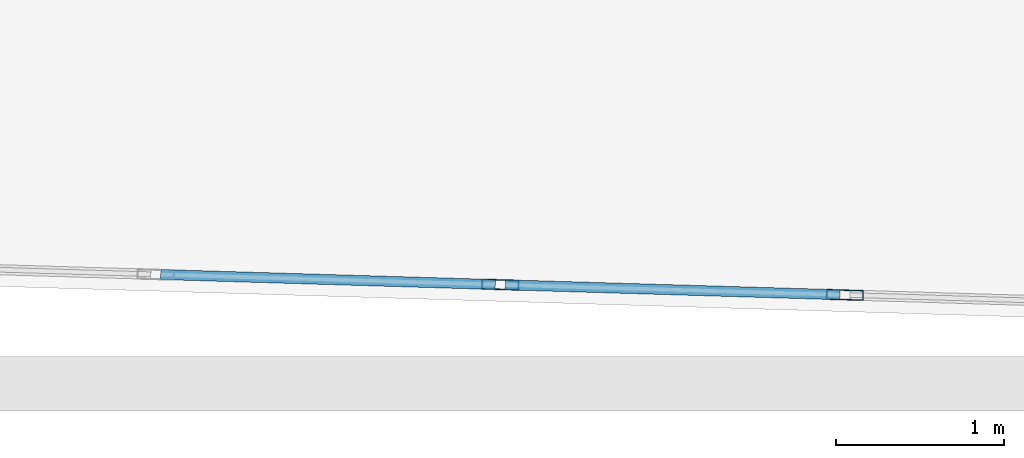
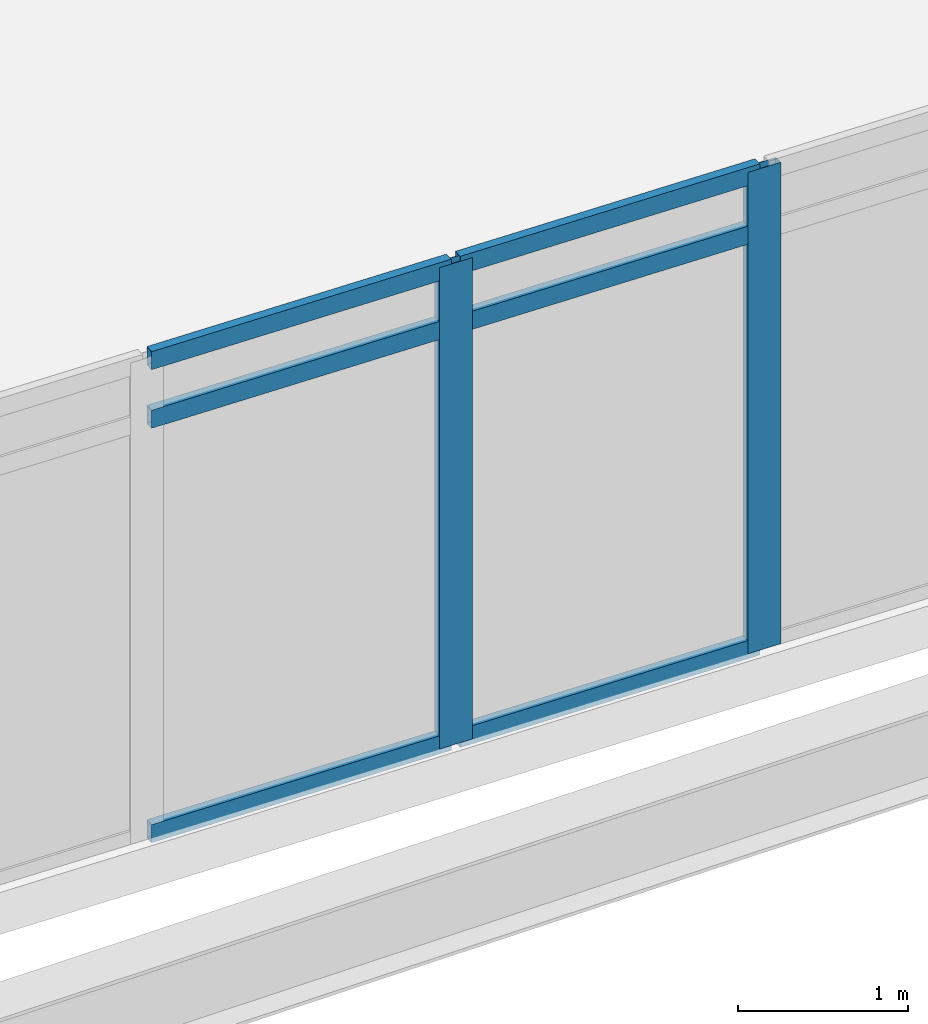
# One storey, part 3 of 36: 8 members, 1 element without a shape of its own.
"""IFC4 building model written with IfcOpenShell, lengths in metres."""

import ifcopenshell
import ifcopenshell.guid

model = None  # the IFC model being written
_history = None  # IfcOwnerHistory: only IFC2X3 demands one
_inside = {}  # id of a spatial element -> (the spatial element, [elements in it])
_under = {}  # id of a project, library or spatial element -> (it, [spatial elements below it])
_declared = {}  # id of a project -> (the project, [libraries it declares])
_typed = {}  # id of a type object -> (the type object, [elements of that type])
_made_of = {}  # id of a material, layer set ... -> (it, [elements and type objects made of it])


def new_model(schema):
    """Start an empty IFC model of exactly this schema.

    Asked for "IFC4X3", IfcOpenShell would pick the latest addendum, in which some entities
    have other attributes; the version numbers below select the first issue.
    IFC2X3 requires an IfcOwnerHistory on every rooted entity: one is made here for all.
    """
    global model, _history
    if schema == "IFC4X3":
        model = ifcopenshell.file(schema_version=(4, 3, 0, 0))
    else:
        model = ifcopenshell.file(schema=schema)
    _inside.clear()
    _under.clear()
    _declared.clear()
    _typed.clear()
    _made_of.clear()
    _history = None
    if model.schema == "IFC2X3":
        org = make("IfcOrganization", Name="unknown")
        user = make(
            "IfcPersonAndOrganization",
            ThePerson=make("IfcPerson", FamilyName="unknown"),
            TheOrganization=org,
        )
        app = make(
            "IfcApplication",
            ApplicationDeveloper=org,
            Version="unknown",
            ApplicationFullName="unknown",
            ApplicationIdentifier="unknown",
        )
        _history = make(
            "IfcOwnerHistory",
            OwningUser=user,
            OwningApplication=app,
            ChangeAction="ADDED",
            CreationDate=0,
        )
    return model


def make(cls, **values):
    """One entity of the class cls with the attributes given. An attribute that is None is left unset."""
    return model.create_entity(
        cls, **{name: value for name, value in values.items() if value is not None}
    )


def rooted(cls, **values):
    """An entity with a GlobalId (a new one), such as an element, a storey or a relation."""
    return make(cls, GlobalId=ifcopenshell.guid.new(), OwnerHistory=_history, **values)


def si_unit(unit_type, name, prefix=None):
    """IfcSIUnit, for example si_unit("LENGTHUNIT", "METRE", prefix="MILLI")."""
    return make("IfcSIUnit", UnitType=unit_type, Prefix=prefix, Name=name)


def assignment(units):
    """IfcUnitAssignment: the units of a project."""
    return None if units is None else make("IfcUnitAssignment", Units=units)


def point(xyz):
    """IfcCartesianPoint."""
    return None if xyz is None else make("IfcCartesianPoint", Coordinates=xyz)


def direction(xyz):
    """IfcDirection."""
    return None if xyz is None else make("IfcDirection", DirectionRatios=xyz)


def frame(location, z_axis=None, x_axis=None):
    """IfcAxis2Placement3D, a coordinate frame: its origin and axes. An axis left out is left unset."""
    return make(
        "IfcAxis2Placement3D",
        Location=point(location),
        Axis=direction(z_axis),
        RefDirection=direction(x_axis),
    )


def frame_2d(location, x_axis=None):
    """IfcAxis2Placement2D, a coordinate frame in the plane: its origin and x axis."""
    return make(
        "IfcAxis2Placement2D", Location=point(location), RefDirection=direction(x_axis)
    )


def origin():
    """The frame at (0, 0, 0) with its axes left unset."""
    return frame((0.0, 0.0, 0.0))


def origin_2d():
    """The frame at (0, 0) in the plane with its x axis left unset."""
    return frame_2d((0.0, 0.0))


def place(relative_to, where):
    """IfcLocalPlacement: puts the frame where relative to a parent placement (None: the world)."""
    return make(
        "IfcLocalPlacement", PlacementRelTo=relative_to, RelativePlacement=where
    )


def context(
    kind, dimensions, precision=None, world=None, true_north=None, identifier=None
):
    """IfcGeometricRepresentationContext, for example the 3D "Model" context."""
    return make(
        "IfcGeometricRepresentationContext",
        ContextIdentifier=identifier,
        ContextType=kind,
        CoordinateSpaceDimension=dimensions,
        Precision=precision,
        WorldCoordinateSystem=world,
        TrueNorth=true_north,
    )


def subcontext(parent, identifier, kind, view, scale=None):
    """IfcGeometricRepresentationSubContext, for example "Body" below "Model"."""
    return make(
        "IfcGeometricRepresentationSubContext",
        ContextIdentifier=identifier,
        ContextType=kind,
        ParentContext=parent,
        TargetScale=scale,
        TargetView=view,
    )


def project(units=None, contexts=None):
    """IfcProject with its units and contexts."""
    return rooted(
        "IfcProject",
        Name="project",
        RepresentationContexts=contexts,
        UnitsInContext=assignment(units),
    )


def spatial(cls, under=None, at=None, **own):
    """A site, building, storey or space (cls), placed at a placement, below another one or the project."""
    s = rooted(cls, ObjectPlacement=at, **own)
    if under is not None:
        _under.setdefault(under.id(), (under, []))[1].append(s)
    return s


def profile(cls, at=None, kind="AREA", **sizes):
    """A parametric profile (cls). Its sizes go by their IFC names, for example OverallWidth=200.0."""
    return make(cls, ProfileType=kind, Position=at, **sizes)


def hollow_rectangle(**sizes):
    """IfcRectangleHollowProfileDef."""
    return profile("IfcRectangleHollowProfileDef", **sizes)


def extrude(swept, where, along, depth):
    """IfcExtrudedAreaSolid: the profile swept, set in the frame where, extruded along a direction by depth."""
    return make(
        "IfcExtrudedAreaSolid",
        SweptArea=swept,
        Position=where,
        ExtrudedDirection=direction(along),
        Depth=depth,
    )


def shape(context_of_items, identifier, shape_type, items):
    """IfcShapeRepresentation: the items that make up one representation, for example the "Body"."""
    return make(
        "IfcShapeRepresentation",
        ContextOfItems=context_of_items,
        RepresentationIdentifier=identifier,
        RepresentationType=shape_type,
        Items=items,
    )


def material(Name=None, Category=None):
    """IfcMaterial."""
    return make("IfcMaterial", Name=Name, Category=Category)


def material_profile(
    of_material, cross_section, Name=None, Category=None, Priority=None
):
    """IfcMaterialProfile: a cross section and its material."""
    return make(
        "IfcMaterialProfile",
        Name=Name,
        Material=of_material,
        Profile=cross_section,
        Priority=Priority,
        Category=Category,
    )


def profile_set(profiles, Name=None, composite=None):
    """IfcMaterialProfileSet."""
    return make(
        "IfcMaterialProfileSet",
        Name=Name,
        MaterialProfiles=profiles,
        CompositeProfile=composite,
    )


def made_of(thing, what):
    """Note that an element or type object is made of a material, layer set ...; save() writes the relation."""
    if what is not None:
        _made_of.setdefault(what.id(), (what, []))[1].append(thing)
    return thing


def type_object(cls, material=None, **own):
    """A type object (cls), such as IfcWallType, which elements share."""
    return made_of(rooted(cls, **own), material)


def element(
    cls,
    number,
    at=None,
    inside=None,
    cuts=None,
    type_object=None,
    material=None,
    context=None,
    identifier="Body",
    shape_type=None,
    held_by="IfcProductDefinitionShape",
    body=None,
    shapes=None,
    **own,
):
    """One element of the class cls, such as IfcWall. Its Tag is "e" and its number.

    at: its placement. inside: the storey or other place that contains it. cuts: it is an
    opening in that element (IfcRelVoidsElement). A single representation is given by context,
    identifier, shape_type and body (its items); several are given by shapes. held_by: the class
    of the entity that holds the representations. save() writes the other relations.
    """
    e = rooted(cls, Tag="e%d" % number, ObjectPlacement=at, **own)
    if body is not None:
        shapes = [shape(context, identifier, shape_type, body)]
    if shapes is not None:
        e.Representation = make(held_by, Representations=shapes)
    if inside is not None:
        _inside.setdefault(inside.id(), (inside, []))[1].append(e)
    if cuts is not None:
        rooted(
            "IfcRelVoidsElement", RelatingBuildingElement=cuts, RelatedOpeningElement=e
        )
    if type_object is not None:
        _typed.setdefault(type_object.id(), (type_object, []))[1].append(e)
    return made_of(e, material)


def aggregate(whole, parts):
    """IfcRelAggregates: a whole, such as a stair, and the parts it consists of."""
    return rooted("IfcRelAggregates", RelatingObject=whole, RelatedObjects=parts)


def save(model, path):
    """Write the relations noted so far, then the file.

    IfcRelAggregates (storeys below a building ...), IfcRelContainedInSpatialStructure (elements
    in a storey), IfcRelDefinesByType, IfcRelAssociatesMaterial and IfcRelDeclares: one each for
    every whole, place, type object, material and project.
    """
    for whole, parts in _under.values():
        aggregate(whole, parts)
    for where, things in _inside.values():
        rooted(
            "IfcRelContainedInSpatialStructure",
            RelatedElements=things,
            RelatingStructure=where,
        )
    for kind, things in _typed.values():
        rooted("IfcRelDefinesByType", RelatedObjects=things, RelatingType=kind)
    for what, things in _made_of.values():
        rooted("IfcRelAssociatesMaterial", RelatedObjects=things, RelatingMaterial=what)
    for by, libraries in _declared.values():
        rooted("IfcRelDeclares", RelatingContext=by, RelatedDefinitions=libraries)
    model.write(path)


model = new_model("IFC4")

# Units and contexts
model_context = context("Model", 3, precision=1e-05, world=origin(), true_north=direction((0.0, 1.0)))
body_context = subcontext(model_context, "Body", "Model", "MODEL_VIEW")
ifc_project = project(units=[si_unit("LENGTHUNIT", "METRE"), si_unit("AREAUNIT", "SQUARE_METRE"), si_unit("VOLUMEUNIT", "CUBIC_METRE"), si_unit("PLANEANGLEUNIT", "RADIAN"), si_unit("MASSUNIT", "GRAM", prefix="KILO")], contexts=[model_context])

# Site, building, storey
site_placement = place(None, origin())
site = spatial("IfcSite", under=ifc_project, at=site_placement, CompositionType="ELEMENT")
building_placement = place(site_placement, origin())
building = spatial("IfcBuilding", under=site, at=building_placement, Name="Ostrander Bayou Hotel Tower", CompositionType="ELEMENT")
storey_placement = place(building_placement, frame((0.0, 0.0, 138.5)))
storey = spatial("IfcBuildingStorey", under=building, at=storey_placement, Name="L34", CompositionType="ELEMENT", Elevation=138.5)

# Curtain wall, members
ifc_material_1 = material(Name="Aluminium and clear glass", Category="aluminium")
curtain_wall_type = type_object("IfcCurtainWallType", Name="CW-BAR glazed wall", PredefinedType="NOTDEFINED", material=ifc_material_1)
curtain_wall_placement = place(storey_placement, origin())
curtain_wall = element("IfcCurtainWall", 1, at=curtain_wall_placement, inside=storey, type_object=curtain_wall_type, Name="CW-BAR L34:SB3S:T", PredefinedType="NOTDEFINED")
ifc_material_2 = material(Name="Aluminium", Category="aluminium")
ifc_material_profile_1 = material_profile(ifc_material_2, hollow_rectangle(XDim=0.06005859375, YDim=0.219970703125, WallThickness=0.00390625, at=origin_2d()))
ifc_profile_set_1 = profile_set([ifc_material_profile_1], Name="Aluminium")
member_type_1 = type_object("IfcMemberType", Name="CW-BR mullion 60 x 220 mm", PredefinedType="MULLION", material=ifc_profile_set_1)
member_1_placement = place(storey_placement, frame((-3.084716796875, -30.858154296875, 0.0), z_axis=(0.0, 0.0, 1.0), x_axis=(0.029746242041, 0.999557482631, 0.0)))
member_1 = element("IfcMember", 2, at=member_1_placement, type_object=member_type_1, Name="CW-BAR mullion 6", PredefinedType="MULLION", context=body_context, shape_type="SweptSolid", body=[
    extrude(hollow_rectangle(XDim=0.06005859375, YDim=0.219970703125, WallThickness=0.00390625, at=origin_2d()), origin(), (0.0, 0.0, 1.0), 3.449951171875),
])
member_2_placement = place(storey_placement, frame((-1.0283203125, -30.91943359375, 0.0), z_axis=(0.0, 0.0, 1.0), x_axis=(0.029746242041, 0.999557482631, 0.0)))
member_2 = element("IfcMember", 3, at=member_2_placement, type_object=member_type_1, Name="CW-BAR mullion 7", PredefinedType="MULLION", context=body_context, shape_type="SweptSolid", body=[
    extrude(hollow_rectangle(XDim=0.06005859375, YDim=0.219970703125, WallThickness=0.00390625, at=origin_2d()), origin(), (0.0, 0.0, 1.0), 3.449951171875),
])
ifc_material_3 = material(Name="Aluminium", Category="aluminium")
ifc_material_profile_2 = material_profile(ifc_material_3, hollow_rectangle(XDim=0.06005859375, YDim=0.1298828125, WallThickness=0.00390625, at=origin_2d()))
ifc_profile_set_2 = profile_set([ifc_material_profile_2], Name="Aluminium")
member_type_2 = type_object("IfcMemberType", Name="CW-BR transom 60 x 130 mm", PredefinedType="USERDEFINED", material=ifc_profile_set_2)
member_3_placement = place(storey_placement, frame((-5.111328125, -30.7978515625, 0.030029296875), z_axis=(0.999555199151, -0.029822874614, 0.0), x_axis=(0.029822874614, 0.999555199151, 0.0)))
member_3 = element("IfcMember", 4, at=member_3_placement, type_object=member_type_2, Name="CW-BAR transom 5.1", ObjectType="TRANSOM", PredefinedType="USERDEFINED", context=body_context, shape_type="SweptSolid", body=[
    extrude(hollow_rectangle(XDim=0.06005859375, YDim=0.1298828125, WallThickness=0.00390625, at=origin_2d()), origin(), (0.0, 0.0, 1.0), 1.99755859375),
])
member_4_placement = place(storey_placement, frame((-5.111328125, -30.7978515625, 3.0), z_axis=(0.999555199151, -0.029822874614, 0.0), x_axis=(0.029822874614, 0.999555199151, 0.0)))
member_4 = element("IfcMember", 5, at=member_4_placement, type_object=member_type_2, Name="CW-BAR transom 5.2", ObjectType="TRANSOM", PredefinedType="USERDEFINED", context=body_context, shape_type="SweptSolid", body=[
    extrude(hollow_rectangle(XDim=0.06005859375, YDim=0.1298828125, WallThickness=0.00390625, at=origin_2d()), origin(), (0.0, 0.0, 1.0), 1.99755859375),
])
member_5_placement = place(storey_placement, frame((-5.111328125, -30.7978515625, 3.419921875), z_axis=(0.999555199151, -0.029822874614, 0.0), x_axis=(0.029822874614, 0.999555199151, 0.0)))
member_5 = element("IfcMember", 6, at=member_5_placement, type_object=member_type_2, Name="CW-BAR transom 5.3", ObjectType="TRANSOM", PredefinedType="USERDEFINED", context=body_context, shape_type="SweptSolid", body=[
    extrude(hollow_rectangle(XDim=0.06005859375, YDim=0.1298828125, WallThickness=0.00390625, at=origin_2d()), origin(), (0.0, 0.0, 1.0), 1.99755859375),
])
member_6_placement = place(storey_placement, frame((-3.0546875, -30.859130859375, 0.030029296875), z_axis=(0.999558727342, -0.029704386785, 0.0), x_axis=(0.029704386785, 0.999558727342, 0.0)))
member_6 = element("IfcMember", 7, at=member_6_placement, type_object=member_type_2, Name="CW-BAR transom 6.1", ObjectType="TRANSOM", PredefinedType="USERDEFINED", context=body_context, shape_type="SweptSolid", body=[
    extrude(hollow_rectangle(XDim=0.06005859375, YDim=0.1298828125, WallThickness=0.00390625, at=origin_2d()), origin(), (0.0, 0.0, 1.0), 1.997314453125),
])
member_7_placement = place(storey_placement, frame((-3.0546875, -30.859130859375, 3.0), z_axis=(0.999558727342, -0.029704386785, 0.0), x_axis=(0.029704386785, 0.999558727342, 0.0)))
member_7 = element("IfcMember", 8, at=member_7_placement, type_object=member_type_2, Name="CW-BAR transom 6.2", ObjectType="TRANSOM", PredefinedType="USERDEFINED", context=body_context, shape_type="SweptSolid", body=[
    extrude(hollow_rectangle(XDim=0.06005859375, YDim=0.1298828125, WallThickness=0.00390625, at=origin_2d()), origin(), (0.0, 0.0, 1.0), 1.997314453125),
])
member_8_placement = place(storey_placement, frame((-3.0546875, -30.859130859375, 3.419921875), z_axis=(0.999558727342, -0.029704386785, 0.0), x_axis=(0.029704386785, 0.999558727342, 0.0)))
member_8 = element("IfcMember", 9, at=member_8_placement, type_object=member_type_2, Name="CW-BAR transom 6.3", ObjectType="TRANSOM", PredefinedType="USERDEFINED", context=body_context, shape_type="SweptSolid", body=[
    extrude(hollow_rectangle(XDim=0.06005859375, YDim=0.1298828125, WallThickness=0.00390625, at=origin_2d()), origin(), (0.0, 0.0, 1.0), 1.997314453125),
])
aggregate(curtain_wall, [member_1, member_2, member_3, member_4, member_5, member_6, member_7, member_8])

save(model, "model.ifc")
